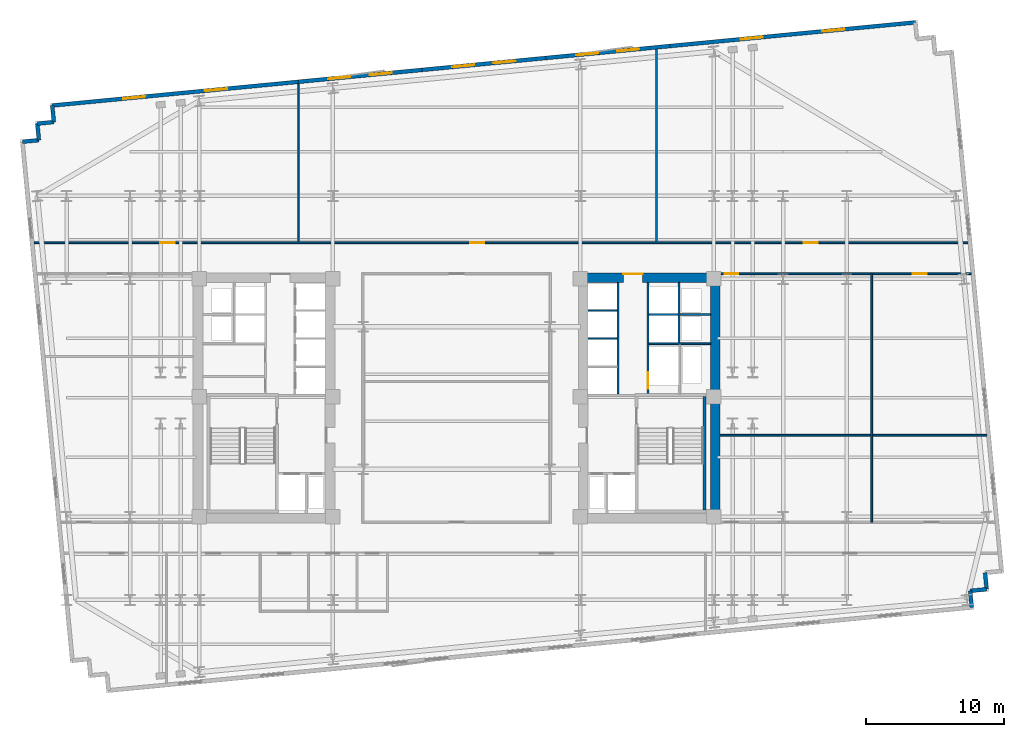
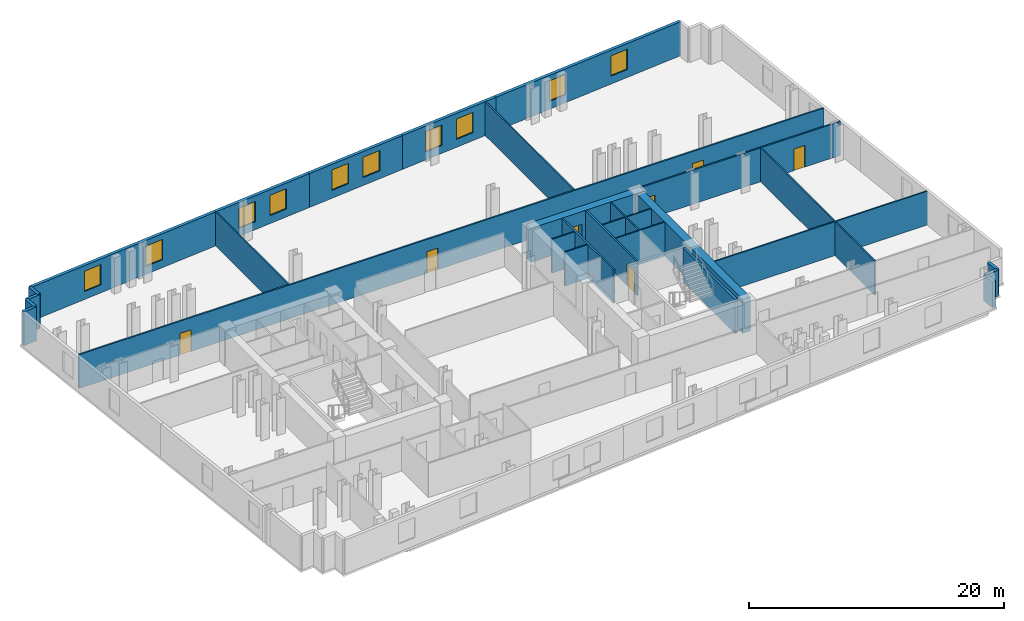
# One storey, part 7 of 10: 29 walls, 10 windows, 7 doors, 17 openings.
"""IFC4 building model written with IfcOpenShell, lengths in metres."""

import ifcopenshell
import ifcopenshell.guid

model = None  # the IFC model being written
_history = None  # IfcOwnerHistory: only IFC2X3 demands one
_inside = {}  # id of a spatial element -> (the spatial element, [elements in it])
_under = {}  # id of a project, library or spatial element -> (it, [spatial elements below it])
_declared = {}  # id of a project -> (the project, [libraries it declares])
_typed = {}  # id of a type object -> (the type object, [elements of that type])
_made_of = {}  # id of a material, layer set ... -> (it, [elements and type objects made of it])


def new_model(schema):
    """Start an empty IFC model of exactly this schema.

    Asked for "IFC4X3", IfcOpenShell would pick the latest addendum, in which some entities
    have other attributes; the version numbers below select the first issue.
    IFC2X3 requires an IfcOwnerHistory on every rooted entity: one is made here for all.
    """
    global model, _history
    if schema == "IFC4X3":
        model = ifcopenshell.file(schema_version=(4, 3, 0, 0))
    else:
        model = ifcopenshell.file(schema=schema)
    _inside.clear()
    _under.clear()
    _declared.clear()
    _typed.clear()
    _made_of.clear()
    _history = None
    if model.schema == "IFC2X3":
        org = make("IfcOrganization", Name="unknown")
        user = make(
            "IfcPersonAndOrganization",
            ThePerson=make("IfcPerson", FamilyName="unknown"),
            TheOrganization=org,
        )
        app = make(
            "IfcApplication",
            ApplicationDeveloper=org,
            Version="unknown",
            ApplicationFullName="unknown",
            ApplicationIdentifier="unknown",
        )
        _history = make(
            "IfcOwnerHistory",
            OwningUser=user,
            OwningApplication=app,
            ChangeAction="ADDED",
            CreationDate=0,
        )
    return model


def make(cls, **values):
    """One entity of the class cls with the attributes given. An attribute that is None is left unset."""
    return model.create_entity(
        cls, **{name: value for name, value in values.items() if value is not None}
    )


def rooted(cls, **values):
    """An entity with a GlobalId (a new one), such as an element, a storey or a relation."""
    return make(cls, GlobalId=ifcopenshell.guid.new(), OwnerHistory=_history, **values)


def si_unit(unit_type, name, prefix=None):
    """IfcSIUnit, for example si_unit("LENGTHUNIT", "METRE", prefix="MILLI")."""
    return make("IfcSIUnit", UnitType=unit_type, Prefix=prefix, Name=name)


def assignment(units):
    """IfcUnitAssignment: the units of a project."""
    return None if units is None else make("IfcUnitAssignment", Units=units)


def point(xyz):
    """IfcCartesianPoint."""
    return None if xyz is None else make("IfcCartesianPoint", Coordinates=xyz)


def direction(xyz):
    """IfcDirection."""
    return None if xyz is None else make("IfcDirection", DirectionRatios=xyz)


def frame(location, z_axis=None, x_axis=None):
    """IfcAxis2Placement3D, a coordinate frame: its origin and axes. An axis left out is left unset."""
    return make(
        "IfcAxis2Placement3D",
        Location=point(location),
        Axis=direction(z_axis),
        RefDirection=direction(x_axis),
    )


def frame_2d(location, x_axis=None):
    """IfcAxis2Placement2D, a coordinate frame in the plane: its origin and x axis."""
    return make(
        "IfcAxis2Placement2D", Location=point(location), RefDirection=direction(x_axis)
    )


def origin():
    """The frame at (0, 0, 0) with its axes left unset."""
    return frame((0.0, 0.0, 0.0))


def place(relative_to, where):
    """IfcLocalPlacement: puts the frame where relative to a parent placement (None: the world)."""
    return make(
        "IfcLocalPlacement", PlacementRelTo=relative_to, RelativePlacement=where
    )


def context(
    kind, dimensions, precision=None, world=None, true_north=None, identifier=None
):
    """IfcGeometricRepresentationContext, for example the 3D "Model" context."""
    return make(
        "IfcGeometricRepresentationContext",
        ContextIdentifier=identifier,
        ContextType=kind,
        CoordinateSpaceDimension=dimensions,
        Precision=precision,
        WorldCoordinateSystem=world,
        TrueNorth=true_north,
    )


def subcontext(parent, identifier, kind, view, scale=None):
    """IfcGeometricRepresentationSubContext, for example "Body" below "Model"."""
    return make(
        "IfcGeometricRepresentationSubContext",
        ContextIdentifier=identifier,
        ContextType=kind,
        ParentContext=parent,
        TargetScale=scale,
        TargetView=view,
    )


def project(units=None, contexts=None):
    """IfcProject with its units and contexts."""
    return rooted(
        "IfcProject",
        Name="project",
        RepresentationContexts=contexts,
        UnitsInContext=assignment(units),
    )


def spatial(cls, under=None, at=None, **own):
    """A site, building, storey or space (cls), placed at a placement, below another one or the project."""
    s = rooted(cls, ObjectPlacement=at, **own)
    if under is not None:
        _under.setdefault(under.id(), (under, []))[1].append(s)
    return s


def profile(cls, at=None, kind="AREA", **sizes):
    """A parametric profile (cls). Its sizes go by their IFC names, for example OverallWidth=200.0."""
    return make(cls, ProfileType=kind, Position=at, **sizes)


def rectangle(**sizes):
    """IfcRectangleProfileDef."""
    return profile("IfcRectangleProfileDef", **sizes)


def extrude(swept, where, along, depth):
    """IfcExtrudedAreaSolid: the profile swept, set in the frame where, extruded along a direction by depth."""
    return make(
        "IfcExtrudedAreaSolid",
        SweptArea=swept,
        Position=where,
        ExtrudedDirection=direction(along),
        Depth=depth,
    )


def shape(context_of_items, identifier, shape_type, items):
    """IfcShapeRepresentation: the items that make up one representation, for example the "Body"."""
    return make(
        "IfcShapeRepresentation",
        ContextOfItems=context_of_items,
        RepresentationIdentifier=identifier,
        RepresentationType=shape_type,
        Items=items,
    )


def material(Name=None, Category=None):
    """IfcMaterial."""
    return make("IfcMaterial", Name=Name, Category=Category)


def layer(
    of_material, thickness, ventilated=None, Name=None, Category=None, Priority=None
):
    """IfcMaterialLayer: one layer of a wall or slab, of a material (None: an air gap)."""
    return make(
        "IfcMaterialLayer",
        Material=of_material,
        LayerThickness=thickness,
        IsVentilated=ventilated,
        Name=Name,
        Category=Category,
        Priority=Priority,
    )


def layer_set(layers, Name=None):
    """IfcMaterialLayerSet."""
    return make("IfcMaterialLayerSet", MaterialLayers=layers, LayerSetName=Name)


def made_of(thing, what):
    """Note that an element or type object is made of a material, layer set ...; save() writes the relation."""
    if what is not None:
        _made_of.setdefault(what.id(), (what, []))[1].append(thing)
    return thing


def type_object(cls, material=None, **own):
    """A type object (cls), such as IfcWallType, which elements share."""
    return made_of(rooted(cls, **own), material)


def element(
    cls,
    number,
    at=None,
    inside=None,
    cuts=None,
    type_object=None,
    material=None,
    context=None,
    identifier="Body",
    shape_type=None,
    held_by="IfcProductDefinitionShape",
    body=None,
    shapes=None,
    **own,
):
    """One element of the class cls, such as IfcWall. Its Tag is "e" and its number.

    at: its placement. inside: the storey or other place that contains it. cuts: it is an
    opening in that element (IfcRelVoidsElement). A single representation is given by context,
    identifier, shape_type and body (its items); several are given by shapes. held_by: the class
    of the entity that holds the representations. save() writes the other relations.
    """
    e = rooted(cls, Tag="e%d" % number, ObjectPlacement=at, **own)
    if body is not None:
        shapes = [shape(context, identifier, shape_type, body)]
    if shapes is not None:
        e.Representation = make(held_by, Representations=shapes)
    if inside is not None:
        _inside.setdefault(inside.id(), (inside, []))[1].append(e)
    if cuts is not None:
        rooted(
            "IfcRelVoidsElement", RelatingBuildingElement=cuts, RelatedOpeningElement=e
        )
    if type_object is not None:
        _typed.setdefault(type_object.id(), (type_object, []))[1].append(e)
    return made_of(e, material)


def fill(opening, filler):
    """IfcRelFillsElement: the door or window that sits in an opening."""
    return rooted(
        "IfcRelFillsElement",
        RelatingOpeningElement=opening,
        RelatedBuildingElement=filler,
    )


def aggregate(whole, parts):
    """IfcRelAggregates: a whole, such as a stair, and the parts it consists of."""
    return rooted("IfcRelAggregates", RelatingObject=whole, RelatedObjects=parts)


def save(model, path):
    """Write the relations noted so far, then the file.

    IfcRelAggregates (storeys below a building ...), IfcRelContainedInSpatialStructure (elements
    in a storey), IfcRelDefinesByType, IfcRelAssociatesMaterial and IfcRelDeclares: one each for
    every whole, place, type object, material and project.
    """
    for whole, parts in _under.values():
        aggregate(whole, parts)
    for where, things in _inside.values():
        rooted(
            "IfcRelContainedInSpatialStructure",
            RelatedElements=things,
            RelatingStructure=where,
        )
    for kind, things in _typed.values():
        rooted("IfcRelDefinesByType", RelatedObjects=things, RelatingType=kind)
    for what, things in _made_of.values():
        rooted("IfcRelAssociatesMaterial", RelatedObjects=things, RelatingMaterial=what)
    for by, libraries in _declared.values():
        rooted("IfcRelDeclares", RelatingContext=by, RelatedDefinitions=libraries)
    model.write(path)


model = new_model("IFC4")

# Units and contexts
model_context = context("Model", 3, precision=1e-05, world=origin(), true_north=direction((0.0, 1.0)))
body_context = subcontext(model_context, "Body", "Model", "MODEL_VIEW")
ifc_project = project(units=[si_unit("LENGTHUNIT", "METRE"), si_unit("AREAUNIT", "SQUARE_METRE"), si_unit("VOLUMEUNIT", "CUBIC_METRE"), si_unit("PLANEANGLEUNIT", "RADIAN"), si_unit("MASSUNIT", "GRAM", prefix="KILO")], contexts=[model_context])

# Site, building, storey
site_placement = place(None, origin())
site = spatial("IfcSite", under=ifc_project, at=site_placement, CompositionType="ELEMENT")
building_placement = place(site_placement, origin())
building = spatial("IfcBuilding", under=site, at=building_placement, Name="Velakula Bourse", CompositionType="ELEMENT")
storey_placement = place(building_placement, frame((0.0, 0.0, 77.64990234375)))
storey = spatial("IfcBuildingStorey", under=building, at=storey_placement, Name="L20", CompositionType="ELEMENT", Elevation=77.64990234375)

# Wall
ifc_material_1 = material(Name="Concrete M50 (fck 50 MPa)", Category="concrete")
ifc_layer_1 = layer(ifc_material_1, 0.2099609375, Name="Concrete M50 (fck 50 MPa)", Category="concrete")
ifc_layer_set_1 = layer_set([ifc_layer_1], Name="Concrete M50 (fck 50 MPa)")
wall_type_1 = type_object("IfcWallType", Name="WL-CORE-210", PredefinedType="SHEAR", material=ifc_layer_set_1)
wall_1_placement = place(storey_placement, frame((17.925048828125, -8.10009765625, 0.0), z_axis=(0.0, 0.0, 1.0), x_axis=(0.0, 1.0, 0.0)))
element("IfcWall", 1, at=wall_1_placement, inside=storey, type_object=wall_type_1, Name="L20 Core E Stairwell Shear Wall OUT", PredefinedType="SHEAR", context=body_context, shape_type="SweptSolid", body=[
    extrude(rectangle(XDim=8.2001953125, YDim=0.2099609375, at=frame_2d((4.10009765625, 0.0))), origin(), (0.0, 0.0, 1.0), 3.27001953125),
])

# Wall, opening, door
ifc_material_2 = material(Name="Concrete M70 (fck 70 MPa)", Category="concrete")
ifc_layer_2 = layer(ifc_material_2, 0.699951171875, Name="Concrete M70 (fck 70 MPa)", Category="concrete")
ifc_layer_set_2 = layer_set([ifc_layer_2], Name="Concrete M70 (fck 70 MPa)")
wall_type_2 = type_object("IfcWallType", Name="WL-CORE-700", PredefinedType="SHEAR", material=ifc_layer_set_2)
wall_2_placement = place(storey_placement, frame((8.800048828125, 8.699951171875, 0.0), z_axis=(0.0, 0.0, 1.0), x_axis=(1.0, 0.0, 0.0)))
wall_2 = element("IfcWall", 2, at=wall_2_placement, inside=storey, type_object=wall_type_2, Name="L20 Core E Shear Wall N", PredefinedType="SHEAR", context=body_context, shape_type="SweptSolid", body=[
    extrude(rectangle(XDim=10.25, YDim=0.699951171875, at=frame_2d((5.125, 0.0))), origin(), (0.0, 0.0, 1.0), 3.27001953125),
])
opening_1_placement = place(wall_2_placement, frame((3.25, 0.0, 0.0)))
opening_1 = element("IfcOpeningElement", 3, at=opening_1_placement, cuts=wall_2, Name="Opening D-LLE", PredefinedType="OPENING", context=body_context, shape_type="SweptSolid", body=[
    extrude(rectangle(XDim=1.39990234375, YDim=2.050048828125, at=frame_2d((0.699951171875, 1.02490234375))), frame((0.0, 0.35986328125, 0.0), z_axis=(0.0, -1.0, 0.0), x_axis=(1.0, 0.0, 0.0)), (0.0, 0.0, 1.0), 0.719970703125),
])
ifc_material_3 = material(Name="Fire-rated hardwood flush architectural door", Category="wood")
door_type_1 = type_object("IfcDoorType", Name="DR-DBL-FD60-1400", OperationType="DOUBLE_DOOR_SINGLE_SWING", PredefinedType="DOOR", material=ifc_material_3)
door_1_placement = place(opening_1_placement, origin())
door_1 = element("IfcDoor", 4, at=door_1_placement, inside=storey, type_object=door_type_1, Name="L20 Core E Lift Lobby Corridor Double Door", OperationType="DOUBLE_DOOR_SINGLE_SWING", OverallHeight=2.050048828125, OverallWidth=1.39990234375, PredefinedType="DOOR", context=body_context, shape_type="SweptSolid", body=[
    extrude(rectangle(XDim=1.39990234375, YDim=2.050048828125, at=frame_2d((0.699951171875, 1.02490234375))), frame((0.0, 0.294921875, 0.0), z_axis=(0.0, -1.0, 0.0), x_axis=(1.0, 0.0, 0.0)), (0.0, 0.0, 1.0), 0.050048828125),
])
fill(opening_1, door_1)

# Wall
wall_3_placement = place(storey_placement, frame((18.699951171875, -8.35009765625, 0.0), z_axis=(0.0, 0.0, 1.0), x_axis=(0.0, 1.0, 0.0)))
element("IfcWall", 5, at=wall_3_placement, inside=storey, type_object=wall_type_2, Name="L20 Core E Shear Wall E", PredefinedType="SHEAR", context=body_context, shape_type="SweptSolid", body=[
    extrude(rectangle(XDim=16.7001953125, YDim=0.699951171875, at=frame_2d((8.35009765625, 0.0))), origin(), (0.0, 0.0, 1.0), 3.27001953125),
])

# Wall, openings, windows
ifc_material_4 = material(Name="Red kilned clay facing brick masonry", Category="masonry")
ifc_layer_3 = layer(ifc_material_4, 0.280029296875, Name="Red kilned clay facing brick masonry", Category="masonry")
ifc_layer_set_3 = layer_set([ifc_layer_3], Name="Red kilned clay facing brick masonry")
wall_type_3 = type_object("IfcWallType", Name="WL-EXT-BRK-280", PredefinedType="STANDARD", material=ifc_layer_set_3)
wall_4_placement = place(storey_placement, frame((-29.2314453125, 21.138427734375, 0.0), z_axis=(0.0, 0.0, 1.0), x_axis=(0.995395780835, 0.095850088663, 0.0)))
wall_4 = element("IfcWall", 6, at=wall_4_placement, inside=storey, type_object=wall_type_3, Name="L20 N Brick Spandrel Wall B1", PredefinedType="STANDARD", context=body_context, shape_type="SweptSolid", body=[
    extrude(rectangle(XDim=17.83984375, YDim=0.280029296875, at=frame_2d((8.919921875, 0.0))), origin(), (0.0, 0.0, 1.0), 3.25),
])
opening_2_placement = place(wall_4_placement, frame((5.146728515625, 0.0, 0.760009765625)))
opening_2 = element("IfcOpeningElement", 7, at=opening_2_placement, cuts=wall_4, Name="Opening W-02", PredefinedType="OPENING", context=body_context, shape_type="SweptSolid", body=[
    extrude(rectangle(XDim=1.60009765625, YDim=1.949951171875, at=frame_2d((0.800048828125, 0.97509765625))), frame((0.0, 0.14990234375, 0.0), z_axis=(0.0, -1.0, 0.0), x_axis=(1.0, 0.0, 0.0)), (0.0, 0.0, 1.0), 0.300048828125),
])
opening_3_placement = place(wall_4_placement, frame((11.09326171875, 0.0, 0.760009765625)))
opening_3 = element("IfcOpeningElement", 8, at=opening_3_placement, cuts=wall_4, Name="Opening W-02", PredefinedType="OPENING", context=body_context, shape_type="SweptSolid", body=[
    extrude(rectangle(XDim=1.60009765625, YDim=1.949951171875, at=frame_2d((0.800048828125, 0.97509765625))), frame((0.0, 0.14990234375, 0.0), z_axis=(0.0, -1.0, 0.0), x_axis=(1.0, 0.0, 0.0)), (0.0, 0.0, 1.0), 0.300048828125),
])
ifc_material_5 = material(Name="Double-glazed solar-control Low-E glass", Category="glass")
window_type = type_object("IfcWindowType", Name="WIN-TWR-1600x2100", PartitioningType="SINGLE_PANEL", PredefinedType="WINDOW", material=ifc_material_5)
window_1_placement = place(opening_2_placement, origin())
window_1 = element("IfcWindow", 9, at=window_1_placement, inside=storey, type_object=window_type, Name="L20 Deep-Set Recessed Window 1", OverallHeight=1.949951171875, OverallWidth=1.60009765625, PartitioningType="SINGLE_PANEL", PredefinedType="WINDOW", context=body_context, shape_type="SweptSolid", body=[
    extrude(rectangle(XDim=1.60009765625, YDim=1.949951171875, at=frame_2d((0.800048828125, 0.97509765625))), frame((0.0, 0.030029296875, 0.0), z_axis=(0.0, -1.0, 0.0), x_axis=(1.0, 0.0, 0.0)), (0.0, 0.0, 1.0), 0.06005859375),
])
fill(opening_2, window_1)
window_2_placement = place(opening_3_placement, origin())
window_2 = element("IfcWindow", 10, at=window_2_placement, inside=storey, type_object=window_type, Name="L20 Deep-Set Recessed Window 2", OverallHeight=1.949951171875, OverallWidth=1.60009765625, PartitioningType="SINGLE_PANEL", PredefinedType="WINDOW", context=body_context, shape_type="SweptSolid", body=[
    extrude(rectangle(XDim=1.60009765625, YDim=1.949951171875, at=frame_2d((0.800048828125, 0.97509765625))), frame((0.0, 0.030029296875, 0.0), z_axis=(0.0, -1.0, 0.0), x_axis=(1.0, 0.0, 0.0)), (0.0, 0.0, 1.0), 0.06005859375),
])
fill(opening_3, window_2)

wall_5_placement = place(storey_placement, frame((-11.4736328125, 22.848388671875, 0.0), z_axis=(0.0, 0.0, 1.0), x_axis=(0.995396794462, 0.09583956164, 0.0)))
wall_5 = element("IfcWall", 11, at=wall_5_placement, inside=storey, type_object=wall_type_3, Name="L20 N Brick Spandrel Wall B2", PredefinedType="STANDARD", context=body_context, shape_type="SweptSolid", body=[
    extrude(rectangle(XDim=9.0, YDim=0.280029296875, at=frame_2d((4.5, 0.0))), origin(), (0.0, 0.0, 1.0), 3.25),
])
opening_4_placement = place(wall_5_placement, frame((2.199951171875, 0.0, 0.760009765625)))
opening_4 = element("IfcOpeningElement", 12, at=opening_4_placement, cuts=wall_5, Name="Opening W-02", PredefinedType="OPENING", context=body_context, shape_type="SweptSolid", body=[
    extrude(rectangle(XDim=1.60009765625, YDim=1.949951171875, at=frame_2d((0.800048828125, 0.97509765625))), frame((0.0, 0.14990234375, 0.0), z_axis=(0.0, -1.0, 0.0), x_axis=(1.0, 0.0, 0.0)), (0.0, 0.0, 1.0), 0.300048828125),
])
opening_5_placement = place(wall_5_placement, frame((5.199951171875, 0.0, 0.760009765625)))
opening_5 = element("IfcOpeningElement", 13, at=opening_5_placement, cuts=wall_5, Name="Opening W-02", PredefinedType="OPENING", context=body_context, shape_type="SweptSolid", body=[
    extrude(rectangle(XDim=1.60009765625, YDim=1.949951171875, at=frame_2d((0.800048828125, 0.97509765625))), frame((0.0, 0.14990234375, 0.0), z_axis=(0.0, -1.0, 0.0), x_axis=(1.0, 0.0, 0.0)), (0.0, 0.0, 1.0), 0.300048828125),
])
window_3_placement = place(opening_4_placement, origin())
window_3 = element("IfcWindow", 14, at=window_3_placement, inside=storey, type_object=window_type, Name="L20 Deep-Set Recessed Window 1", OverallHeight=1.949951171875, OverallWidth=1.60009765625, PartitioningType="SINGLE_PANEL", PredefinedType="WINDOW", context=body_context, shape_type="SweptSolid", body=[
    extrude(rectangle(XDim=1.60009765625, YDim=1.949951171875, at=frame_2d((0.800048828125, 0.97509765625))), frame((0.0, 0.030029296875, 0.0), z_axis=(0.0, -1.0, 0.0), x_axis=(1.0, 0.0, 0.0)), (0.0, 0.0, 1.0), 0.06005859375),
])
fill(opening_4, window_3)
window_4_placement = place(opening_5_placement, origin())
window_4 = element("IfcWindow", 15, at=window_4_placement, inside=storey, type_object=window_type, Name="L20 Deep-Set Recessed Window 2", OverallHeight=1.949951171875, OverallWidth=1.60009765625, PartitioningType="SINGLE_PANEL", PredefinedType="WINDOW", context=body_context, shape_type="SweptSolid", body=[
    extrude(rectangle(XDim=1.60009765625, YDim=1.949951171875, at=frame_2d((0.800048828125, 0.97509765625))), frame((0.0, 0.030029296875, 0.0), z_axis=(0.0, -1.0, 0.0), x_axis=(1.0, 0.0, 0.0)), (0.0, 0.0, 1.0), 0.06005859375),
])
fill(opening_5, window_4)

wall_6_placement = place(storey_placement, frame((-2.51513671875, 23.7109375, 0.0), z_axis=(0.0, 0.0, 1.0), x_axis=(0.995397043619, 0.095836973841, 0.0)))
wall_6 = element("IfcWall", 16, at=wall_6_placement, inside=storey, type_object=wall_type_3, Name="L20 N Brick Spandrel Wall B3", PredefinedType="STANDARD", context=body_context, shape_type="SweptSolid", body=[
    extrude(rectangle(XDim=9.000244140625, YDim=0.280029296875, at=frame_2d((4.5, 0.0))), origin(), (0.0, 0.0, 1.0), 3.25),
])
opening_6_placement = place(wall_6_placement, frame((2.199951171875, 0.0, 0.760009765625)))
opening_6 = element("IfcOpeningElement", 17, at=opening_6_placement, cuts=wall_6, Name="Opening W-02", PredefinedType="OPENING", context=body_context, shape_type="SweptSolid", body=[
    extrude(rectangle(XDim=1.60009765625, YDim=1.949951171875, at=frame_2d((0.800048828125, 0.97509765625))), frame((0.0, 0.14990234375, 0.0), z_axis=(0.0, -1.0, 0.0), x_axis=(1.0, 0.0, 0.0)), (0.0, 0.0, 1.0), 0.300048828125),
])
opening_7_placement = place(wall_6_placement, frame((5.199951171875, 0.0, 0.760009765625)))
opening_7 = element("IfcOpeningElement", 18, at=opening_7_placement, cuts=wall_6, Name="Opening W-02", PredefinedType="OPENING", context=body_context, shape_type="SweptSolid", body=[
    extrude(rectangle(XDim=1.60009765625, YDim=1.949951171875, at=frame_2d((0.800048828125, 0.97509765625))), frame((0.0, 0.14990234375, 0.0), z_axis=(0.0, -1.0, 0.0), x_axis=(1.0, 0.0, 0.0)), (0.0, 0.0, 1.0), 0.300048828125),
])
window_5_placement = place(opening_6_placement, origin())
window_5 = element("IfcWindow", 19, at=window_5_placement, inside=storey, type_object=window_type, Name="L20 Deep-Set Recessed Window 1", OverallHeight=1.949951171875, OverallWidth=1.60009765625, PartitioningType="SINGLE_PANEL", PredefinedType="WINDOW", context=body_context, shape_type="SweptSolid", body=[
    extrude(rectangle(XDim=1.60009765625, YDim=1.949951171875, at=frame_2d((0.800048828125, 0.97509765625))), frame((0.0, 0.030029296875, 0.0), z_axis=(0.0, -1.0, 0.0), x_axis=(1.0, 0.0, 0.0)), (0.0, 0.0, 1.0), 0.06005859375),
])
fill(opening_6, window_5)
window_6_placement = place(opening_7_placement, origin())
window_6 = element("IfcWindow", 20, at=window_6_placement, inside=storey, type_object=window_type, Name="L20 Deep-Set Recessed Window 2", OverallHeight=1.949951171875, OverallWidth=1.60009765625, PartitioningType="SINGLE_PANEL", PredefinedType="WINDOW", context=body_context, shape_type="SweptSolid", body=[
    extrude(rectangle(XDim=1.60009765625, YDim=1.949951171875, at=frame_2d((0.800048828125, 0.97509765625))), frame((0.0, 0.030029296875, 0.0), z_axis=(0.0, -1.0, 0.0), x_axis=(1.0, 0.0, 0.0)), (0.0, 0.0, 1.0), 0.06005859375),
])
fill(opening_7, window_6)

wall_7_placement = place(storey_placement, frame((6.443603515625, 24.573486328125, 0.0), z_axis=(0.0, 0.0, 1.0), x_axis=(0.995396794462, 0.09583956164, 0.0)))
wall_7 = element("IfcWall", 21, at=wall_7_placement, inside=storey, type_object=wall_type_3, Name="L20 N Brick Spandrel Wall B4", PredefinedType="STANDARD", context=body_context, shape_type="SweptSolid", body=[
    extrude(rectangle(XDim=9.0, YDim=0.280029296875, at=frame_2d((4.5, 0.0))), origin(), (0.0, 0.0, 1.0), 3.25),
])
opening_8_placement = place(wall_7_placement, frame((2.199951171875, 0.0, 0.760009765625)))
opening_8 = element("IfcOpeningElement", 22, at=opening_8_placement, cuts=wall_7, Name="Opening W-02", PredefinedType="OPENING", context=body_context, shape_type="SweptSolid", body=[
    extrude(rectangle(XDim=1.60009765625, YDim=1.949951171875, at=frame_2d((0.800048828125, 0.97509765625))), frame((0.0, 0.14990234375, 0.0), z_axis=(0.0, -1.0, 0.0), x_axis=(1.0, 0.0, 0.0)), (0.0, 0.0, 1.0), 0.300048828125),
])
opening_9_placement = place(wall_7_placement, frame((5.199951171875, 0.0, 0.760009765625)))
opening_9 = element("IfcOpeningElement", 23, at=opening_9_placement, cuts=wall_7, Name="Opening W-02", PredefinedType="OPENING", context=body_context, shape_type="SweptSolid", body=[
    extrude(rectangle(XDim=1.60009765625, YDim=1.949951171875, at=frame_2d((0.800048828125, 0.97509765625))), frame((0.0, 0.14990234375, 0.0), z_axis=(0.0, -1.0, 0.0), x_axis=(1.0, 0.0, 0.0)), (0.0, 0.0, 1.0), 0.300048828125),
])
window_7_placement = place(opening_8_placement, origin())
window_7 = element("IfcWindow", 24, at=window_7_placement, inside=storey, type_object=window_type, Name="L20 Deep-Set Recessed Window 1", OverallHeight=1.949951171875, OverallWidth=1.60009765625, PartitioningType="SINGLE_PANEL", PredefinedType="WINDOW", context=body_context, shape_type="SweptSolid", body=[
    extrude(rectangle(XDim=1.60009765625, YDim=1.949951171875, at=frame_2d((0.800048828125, 0.97509765625))), frame((0.0, 0.030029296875, 0.0), z_axis=(0.0, -1.0, 0.0), x_axis=(1.0, 0.0, 0.0)), (0.0, 0.0, 1.0), 0.06005859375),
])
fill(opening_8, window_7)
window_8_placement = place(opening_9_placement, origin())
window_8 = element("IfcWindow", 25, at=window_8_placement, inside=storey, type_object=window_type, Name="L20 Deep-Set Recessed Window 2", OverallHeight=1.949951171875, OverallWidth=1.60009765625, PartitioningType="SINGLE_PANEL", PredefinedType="WINDOW", context=body_context, shape_type="SweptSolid", body=[
    extrude(rectangle(XDim=1.60009765625, YDim=1.949951171875, at=frame_2d((0.800048828125, 0.97509765625))), frame((0.0, 0.030029296875, 0.0), z_axis=(0.0, -1.0, 0.0), x_axis=(1.0, 0.0, 0.0)), (0.0, 0.0, 1.0), 0.06005859375),
])
fill(opening_9, window_8)

wall_8_placement = place(storey_placement, frame((15.402099609375, 25.43603515625, 0.0), z_axis=(0.0, 0.0, 1.0), x_axis=(0.995395780835, 0.095850088663, 0.0)))
wall_8 = element("IfcWall", 26, at=wall_8_placement, inside=storey, type_object=wall_type_3, Name="L20 N Brick Spandrel Wall B5", PredefinedType="STANDARD", context=body_context, shape_type="SweptSolid", body=[
    extrude(rectangle(XDim=17.83984375, YDim=0.280029296875, at=frame_2d((8.919921875, 0.0))), origin(), (0.0, 0.0, 1.0), 3.25),
])
opening_10_placement = place(wall_8_placement, frame((5.146728515625, 0.0, 0.760009765625)))
opening_10 = element("IfcOpeningElement", 27, at=opening_10_placement, cuts=wall_8, Name="Opening W-02", PredefinedType="OPENING", context=body_context, shape_type="SweptSolid", body=[
    extrude(rectangle(XDim=1.60009765625, YDim=1.949951171875, at=frame_2d((0.800048828125, 0.97509765625))), frame((0.0, 0.14990234375, 0.0), z_axis=(0.0, -1.0, 0.0), x_axis=(1.0, 0.0, 0.0)), (0.0, 0.0, 1.0), 0.300048828125),
])
opening_11_placement = place(wall_8_placement, frame((11.09326171875, 0.0, 0.760009765625)))
opening_11 = element("IfcOpeningElement", 28, at=opening_11_placement, cuts=wall_8, Name="Opening W-02", PredefinedType="OPENING", context=body_context, shape_type="SweptSolid", body=[
    extrude(rectangle(XDim=1.60009765625, YDim=1.949951171875, at=frame_2d((0.800048828125, 0.97509765625))), frame((0.0, 0.14990234375, 0.0), z_axis=(0.0, -1.0, 0.0), x_axis=(1.0, 0.0, 0.0)), (0.0, 0.0, 1.0), 0.300048828125),
])
window_9_placement = place(opening_10_placement, origin())
window_9 = element("IfcWindow", 29, at=window_9_placement, inside=storey, type_object=window_type, Name="L20 Deep-Set Recessed Window 1", OverallHeight=1.949951171875, OverallWidth=1.60009765625, PartitioningType="SINGLE_PANEL", PredefinedType="WINDOW", context=body_context, shape_type="SweptSolid", body=[
    extrude(rectangle(XDim=1.60009765625, YDim=1.949951171875, at=frame_2d((0.800048828125, 0.97509765625))), frame((0.0, 0.030029296875, 0.0), z_axis=(0.0, -1.0, 0.0), x_axis=(1.0, 0.0, 0.0)), (0.0, 0.0, 1.0), 0.06005859375),
])
fill(opening_10, window_9)
window_10_placement = place(opening_11_placement, origin())
window_10 = element("IfcWindow", 30, at=window_10_placement, inside=storey, type_object=window_type, Name="L20 Deep-Set Recessed Window 2", OverallHeight=1.949951171875, OverallWidth=1.60009765625, PartitioningType="SINGLE_PANEL", PredefinedType="WINDOW", context=body_context, shape_type="SweptSolid", body=[
    extrude(rectangle(XDim=1.60009765625, YDim=1.949951171875, at=frame_2d((0.800048828125, 0.97509765625))), frame((0.0, 0.030029296875, 0.0), z_axis=(0.0, -1.0, 0.0), x_axis=(1.0, 0.0, 0.0)), (0.0, 0.0, 1.0), 0.06005859375),
])
fill(opening_11, window_10)

# Walls
for number, where, z_axis, x_axis, name in (
    (31, (37.2314453125, -15.138427734375, 0.0), (0.0, 0.0, 1.0), (-0.095817067274, 0.995398960025, 0.0), "L20 Serrated Corner Brick Wall SE-1"),
    (32, (37.116455078125, -13.94384765625, 0.0), (0.0, 0.0, 1.0), (0.995398960025, 0.095817067274, 0.0), "L20 Serrated Corner Brick Wall SE-2"),
):
    element("IfcWall", number, at=place(storey_placement, frame(where, z_axis=z_axis, x_axis=x_axis)), inside=storey, type_object=wall_type_3, Name=name, PredefinedType="STANDARD", context=body_context, shape_type="SweptSolid", body=[
        extrude(rectangle(XDim=1.2001953125, YDim=0.280029296875, at=frame_2d((0.60009765625, 0.0))), origin(), (0.0, 0.0, 1.0), 2.4951171875),
    ])
wall_9_placement = place(storey_placement, frame((38.31103515625, -13.828857421875, 0.0), z_axis=(0.0, 0.0, 1.0), x_axis=(-0.095836473879, 0.995397091755, 0.0)))
element("IfcWall", 33, at=wall_9_placement, inside=storey, type_object=wall_type_3, Name="L20 Serrated Corner Brick Wall SE-3", PredefinedType="STANDARD", context=body_context, shape_type="SweptSolid", body=[
    extrude(rectangle(XDim=1.199951171875, YDim=0.280029296875, at=frame_2d((0.60009765625, 0.0))), origin(), (0.0, 0.0, 1.0), 2.4951171875),
])
for number, where, z_axis, x_axis, name in (
    (34, (-29.2314453125, 21.138427734375, 0.0), (0.0, 0.0, 1.0), (0.095817067274, -0.995398960025, 0.0), "L20 Serrated Corner Brick Wall NW-1"),
    (35, (-29.116455078125, 19.94384765625, 0.0), (0.0, 0.0, 1.0), (-0.995398960025, -0.095817067274, 0.0), "L20 Serrated Corner Brick Wall NW-2"),
):
    element("IfcWall", number, at=place(storey_placement, frame(where, z_axis=z_axis, x_axis=x_axis)), inside=storey, type_object=wall_type_3, Name=name, PredefinedType="STANDARD", context=body_context, shape_type="SweptSolid", body=[
        extrude(rectangle(XDim=1.2001953125, YDim=0.280029296875, at=frame_2d((0.60009765625, 0.0))), origin(), (0.0, 0.0, 1.0), 3.25),
    ])
for number, where, z_axis, x_axis, name in (
    (36, (-30.31103515625, 19.828857421875, 0.0), (0.0, 0.0, 1.0), (0.095836473879, -0.995397091755, 0.0), "L20 Serrated Corner Brick Wall NW-3"),
    (37, (-30.196044921875, 18.634521484375, 0.0), (0.0, 0.0, 1.0), (-0.995397091755, -0.095836473879, 0.0), "L20 Serrated Corner Brick Wall NW-4"),
):
    element("IfcWall", number, at=place(storey_placement, frame(where, z_axis=z_axis, x_axis=x_axis)), inside=storey, type_object=wall_type_3, Name=name, PredefinedType="STANDARD", context=body_context, shape_type="SweptSolid", body=[
        extrude(rectangle(XDim=1.199951171875, YDim=0.280029296875, at=frame_2d((0.60009765625, 0.0))), origin(), (0.0, 0.0, 1.0), 3.25),
    ])
ifc_material_6 = material(Name="Fire-rated double-layer gypsum drywall partition", Category="gypsum")
ifc_layer_4 = layer(ifc_material_6, 0.1201171875, Name="Fire-rated double-layer gypsum drywall partition", Category="gypsum")
ifc_layer_set_4 = layer_set([ifc_layer_4], Name="Fire-rated double-layer gypsum drywall partition")
wall_type_4 = type_object("IfcWallType", Name="WL-PART-120", PredefinedType="STANDARD", material=ifc_layer_set_4)
for number, where, z_axis, x_axis, name in (
    (38, (9.5, 4.284912109375, 0.0), (0.0, 0.0, 1.0), (1.0, 0.0, 0.0), "L20 Interior Partition WL-CRE-L20-BDIV-1"),
    (39, (9.5, 6.31494140625, 0.0), (0.0, 0.0, 1.0), (1.0, 0.0, 0.0), "L20 Interior Partition WL-CRE-L20-BDIV-2"),
):
    element("IfcWall", number, at=place(storey_placement, frame(where, z_axis=z_axis, x_axis=x_axis)), inside=storey, type_object=wall_type_4, Name=name, PredefinedType="STANDARD", context=body_context, shape_type="SweptSolid", body=[
        extrude(rectangle(XDim=2.10009765625, YDim=0.110107421875, at=frame_2d((1.050048828125, 0.0))), origin(), (0.0, 0.0, 1.0), 3.25),
    ])
wall_10_placement = place(storey_placement, frame((13.89990234375, 3.919921875, 0.0), z_axis=(0.0, 0.0, 1.0), x_axis=(1.0, 0.0, 0.0)))
element("IfcWall", 40, at=wall_10_placement, inside=storey, type_object=wall_type_4, Name="L20 Interior Partition WL-CRE-L20-HI-S", PredefinedType="STANDARD", context=body_context, shape_type="SweptSolid", body=[
    extrude(rectangle(XDim=4.4501953125, YDim=0.1201171875, at=frame_2d((2.22509765625, 0.0))), origin(), (0.0, 0.0, 1.0), 3.25),
])
wall_11_placement = place(storey_placement, frame((16.14990234375, 6.030029296875, 0.0), z_axis=(0.0, 0.0, 1.0), x_axis=(1.0, 0.0, 0.0)))
element("IfcWall", 41, at=wall_11_placement, inside=storey, type_object=wall_type_4, Name="L20 Interior Partition WL-CRE-L20-RIS-MID", PredefinedType="STANDARD", context=body_context, shape_type="SweptSolid", body=[
    extrude(rectangle(XDim=2.2001953125, YDim=0.1201171875, at=frame_2d((1.10009765625, 0.0))), origin(), (0.0, 0.0, 1.0), 3.25),
])
wall_12_placement = place(storey_placement, frame((16.074951171875, 3.97998046875, 0.0), z_axis=(0.0, 0.0, 1.0), x_axis=(0.0, 1.0, 0.0)))
element("IfcWall", 42, at=wall_12_placement, inside=storey, type_object=wall_type_4, Name="L20 Interior Partition WL-CRE-L20-RIS-F", PredefinedType="STANDARD", context=body_context, shape_type="SweptSolid", body=[
    extrude(rectangle(XDim=4.3701171875, YDim=0.1201171875, at=frame_2d((2.18505859375, 0.0))), origin(), (0.0, 0.0, 1.0), 3.25),
])
wall_13_placement = place(storey_placement, frame((13.89990234375, 6.030029296875, 0.0), z_axis=(0.0, 0.0, 1.0), x_axis=(1.0, 0.0, 0.0)))
element("IfcWall", 43, at=wall_13_placement, inside=storey, type_object=wall_type_4, Name="L20 Interior Partition WL-CRE-L20-HI-DIV", PredefinedType="STANDARD", context=body_context, shape_type="SweptSolid", body=[
    extrude(rectangle(XDim=2.10009765625, YDim=0.1201171875, at=frame_2d((1.050048828125, 0.0))), origin(), (0.0, 0.0, 1.0), 3.25),
])
wall_14_placement = place(storey_placement, frame((-11.44189453125, 11.2900390625, 0.0), z_axis=(0.0, 0.0, 1.0), x_axis=(0.0, 1.0, 0.0)))
element("IfcWall", 44, at=wall_14_placement, inside=storey, type_object=wall_type_4, Name="L20 Interior Partition WL-INT-L20-N-D1", PredefinedType="STANDARD", context=body_context, shape_type="SweptSolid", body=[
    extrude(rectangle(XDim=11.440673828125, YDim=0.1201171875, at=frame_2d((5.72021484375, 0.0))), origin(), (0.0, 0.0, 1.0), 3.25),
])
wall_15_placement = place(storey_placement, frame((14.43994140625, 11.2900390625, 0.0), z_axis=(0.0, 0.0, 1.0), x_axis=(0.0, 1.0, 0.0)))
element("IfcWall", 45, at=wall_15_placement, inside=storey, type_object=wall_type_4, Name="L20 Interior Partition WL-INT-L20-N-D2", PredefinedType="STANDARD", context=body_context, shape_type="SweptSolid", body=[
    extrude(rectangle(XDim=13.932861328125, YDim=0.1201171875, at=frame_2d((6.96630859375, 0.0))), origin(), (0.0, 0.0, 1.0), 3.25),
])
wall_16_placement = place(storey_placement, frame((19.050048828125, -2.699951171875, 0.0), z_axis=(0.0, 0.0, 1.0), x_axis=(1.0, 0.0, 0.0)))
element("IfcWall", 46, at=wall_16_placement, inside=storey, type_object=wall_type_4, Name="L20 Interior Partition WL-INT-L20-E-H", PredefinedType="STANDARD", context=body_context, shape_type="SweptSolid", body=[
    extrude(rectangle(XDim=19.274169921875, YDim=0.1201171875, at=frame_2d((9.63720703125, 0.0))), origin(), (0.0, 0.0, 1.0), 3.25),
])
wall_17_placement = place(storey_placement, frame((30.009033203125, -8.97998046875, 0.0), z_axis=(0.0, 0.0, 1.0), x_axis=(0.0, 1.0, 0.0)))
element("IfcWall", 47, at=wall_17_placement, inside=storey, type_object=wall_type_4, Name="L20 Interior Partition WL-INT-L20-E-V1", PredefinedType="STANDARD", context=body_context, shape_type="SweptSolid", body=[
    extrude(rectangle(XDim=17.9599609375, YDim=0.1201171875, at=frame_2d((8.97998046875, 0.0))), origin(), (0.0, 0.0, 1.0), 3.25),
])

# Wall, openings, doors
ifc_layer_5 = layer(ifc_material_6, 0.139892578125, Name="Fire-rated double-layer gypsum drywall partition", Category="gypsum")
ifc_layer_set_5 = layer_set([ifc_layer_5], Name="Fire-rated double-layer gypsum drywall partition")
wall_type_5 = type_object("IfcWallType", Name="WL-PART-140", PredefinedType="STANDARD", material=ifc_layer_set_5)
wall_18_placement = place(storey_placement, frame((-30.56689453125, 11.219970703125, 0.0), z_axis=(0.0, 0.0, 1.0), x_axis=(1.0, 0.0, 0.0)))
wall_18 = element("IfcWall", 48, at=wall_18_placement, inside=storey, type_object=wall_type_5, Name="L20 Interior Partition WL-INT-L20-N-CORR", PredefinedType="STANDARD", context=body_context, shape_type="SweptSolid", body=[
    extrude(rectangle(XDim=67.55078125, YDim=0.139892578125, at=frame_2d((33.775390625, 0.0))), origin(), (0.0, 0.0, 1.0), 3.25),
])
opening_12_placement = place(wall_18_placement, frame((9.1884765625, 0.0, 0.0)))
opening_12 = element("IfcOpeningElement", 49, at=opening_12_placement, cuts=wall_18, Name="Opening D-OF1", PredefinedType="OPENING", context=body_context, shape_type="SweptSolid", body=[
    extrude(rectangle(XDim=1.0, YDim=2.080078125, at=frame_2d((0.5, 1.0400390625))), frame((0.0, 0.079833984375, 0.0), z_axis=(0.0, -1.0, 0.0), x_axis=(1.0, 0.0, 0.0)), (0.0, 0.0, 1.0), 0.159912109375),
])
opening_13_placement = place(wall_18_placement, frame((31.56591796875, 0.0, 0.0)))
opening_13 = element("IfcOpeningElement", 50, at=opening_13_placement, cuts=wall_18, Name="Opening D-OF1", PredefinedType="OPENING", context=body_context, shape_type="SweptSolid", body=[
    extrude(rectangle(XDim=1.0, YDim=2.080078125, at=frame_2d((0.5, 1.0400390625))), frame((0.0, 0.079833984375, 0.0), z_axis=(0.0, -1.0, 0.0), x_axis=(1.0, 0.0, 0.0)), (0.0, 0.0, 1.0), 0.159912109375),
])
opening_14_placement = place(wall_18_placement, frame((55.653076171875, 0.0, 0.0)))
opening_14 = element("IfcOpeningElement", 51, at=opening_14_placement, cuts=wall_18, Name="Opening D-OF1", PredefinedType="OPENING", context=body_context, shape_type="SweptSolid", body=[
    extrude(rectangle(XDim=1.0, YDim=2.080078125, at=frame_2d((0.5, 1.0400390625))), frame((0.0, 0.079833984375, 0.0), z_axis=(0.0, -1.0, 0.0), x_axis=(1.0, 0.0, 0.0)), (0.0, 0.0, 1.0), 0.159912109375),
])
door_type_2 = type_object("IfcDoorType", Name="DR-OFF-1000", OperationType="NOTDEFINED", PredefinedType="DOOR", material=ifc_material_3)
door_2_placement = place(opening_12_placement, origin())
door_2 = element("IfcDoor", 52, at=door_2_placement, inside=storey, type_object=door_type_2, Name="L20 Commodity Futures Workspace Door", OperationType="SINGLE_SWING_LEFT", OverallHeight=2.080078125, OverallWidth=1.0, PredefinedType="DOOR", context=body_context, shape_type="SweptSolid", body=[
    extrude(rectangle(XDim=1.0, YDim=2.080078125, at=frame_2d((0.5, 1.0400390625))), frame((0.0, 0.02490234375, 0.0), z_axis=(0.0, -1.0, 0.0), x_axis=(1.0, 0.0, 0.0)), (0.0, 0.0, 1.0), 0.050048828125),
])
fill(opening_12, door_2)
door_3_placement = place(opening_13_placement, origin())
door_3 = element("IfcDoor", 53, at=door_3_placement, inside=storey, type_object=door_type_2, Name="L20 Clearing Committee Room Door", OperationType="SINGLE_SWING_RIGHT", OverallHeight=2.080078125, OverallWidth=1.0, PredefinedType="DOOR", context=body_context, shape_type="SweptSolid", body=[
    extrude(rectangle(XDim=1.0, YDim=2.080078125, at=frame_2d((0.5, 1.0400390625))), frame((0.0, 0.02490234375, 0.0), z_axis=(0.0, -1.0, 0.0), x_axis=(1.0, 0.0, 0.0)), (0.0, 0.0, 1.0), 0.050048828125),
])
fill(opening_13, door_3)
door_4_placement = place(opening_14_placement, origin())
door_4 = element("IfcDoor", 54, at=door_4_placement, inside=storey, type_object=door_type_2, Name="L20 Tea Room Kitchenette Door", OperationType="SINGLE_SWING_LEFT", OverallHeight=2.080078125, OverallWidth=1.0, PredefinedType="DOOR", context=body_context, shape_type="SweptSolid", body=[
    extrude(rectangle(XDim=1.0, YDim=2.080078125, at=frame_2d((0.5, 1.0400390625))), frame((0.0, 0.02490234375, 0.0), z_axis=(0.0, -1.0, 0.0), x_axis=(1.0, 0.0, 0.0)), (0.0, 0.0, 1.0), 0.050048828125),
])
fill(opening_14, door_4)

wall_19_placement = place(storey_placement, frame((19.050048828125, 8.97998046875, 0.0), z_axis=(0.0, 0.0, 1.0), x_axis=(1.0, 0.0, 0.0)))
wall_19 = element("IfcWall", 55, at=wall_19_placement, inside=storey, type_object=wall_type_5, Name="L20 Interior Partition WL-INT-L20-E-NC", PredefinedType="STANDARD", context=body_context, shape_type="SweptSolid", body=[
    extrude(rectangle(XDim=18.149658203125, YDim=0.139892578125, at=frame_2d((9.07470703125, 0.0))), origin(), (0.0, 0.0, 1.0), 3.25),
])
opening_15_placement = place(wall_19_placement, frame((0.320068359375, 0.0, 0.0)))
opening_15 = element("IfcOpeningElement", 56, at=opening_15_placement, cuts=wall_19, Name="Opening D-OF1", PredefinedType="OPENING", context=body_context, shape_type="SweptSolid", body=[
    extrude(rectangle(XDim=1.0, YDim=2.080078125, at=frame_2d((0.5, 1.0400390625))), frame((0.0, 0.079833984375, 0.0), z_axis=(0.0, -1.0, 0.0), x_axis=(1.0, 0.0, 0.0)), (0.0, 0.0, 1.0), 0.159912109375),
])
opening_16_placement = place(wall_19_placement, frame((13.92431640625, 0.0, 0.0)))
opening_16 = element("IfcOpeningElement", 57, at=opening_16_placement, cuts=wall_19, Name="Opening D-OF1", PredefinedType="OPENING", context=body_context, shape_type="SweptSolid", body=[
    extrude(rectangle(XDim=1.0, YDim=2.080078125, at=frame_2d((0.5, 1.0400390625))), frame((0.0, 0.079833984375, 0.0), z_axis=(0.0, -1.0, 0.0), x_axis=(1.0, 0.0, 0.0)), (0.0, 0.0, 1.0), 0.159912109375),
])
door_5_placement = place(opening_15_placement, origin())
door_5 = element("IfcDoor", 58, at=door_5_placement, inside=storey, type_object=door_type_2, Name="L20 Broadcast Control Office Door", OperationType="SINGLE_SWING_LEFT", OverallHeight=2.080078125, OverallWidth=1.0, PredefinedType="DOOR", context=body_context, shape_type="SweptSolid", body=[
    extrude(rectangle(XDim=1.0, YDim=2.080078125, at=frame_2d((0.5, 1.0400390625))), frame((0.0, 0.02490234375, 0.0), z_axis=(0.0, -1.0, 0.0), x_axis=(1.0, 0.0, 0.0)), (0.0, 0.0, 1.0), 0.050048828125),
])
fill(opening_15, door_5)
door_6_placement = place(opening_16_placement, origin())
door_6 = element("IfcDoor", 59, at=door_6_placement, inside=storey, type_object=door_type_2, Name="L20 Yield Curve Seminar Room Door", OperationType="SINGLE_SWING_RIGHT", OverallHeight=2.080078125, OverallWidth=1.0, PredefinedType="DOOR", context=body_context, shape_type="SweptSolid", body=[
    extrude(rectangle(XDim=1.0, YDim=2.080078125, at=frame_2d((0.5, 1.0400390625))), frame((0.0, 0.02490234375, 0.0), z_axis=(0.0, -1.0, 0.0), x_axis=(1.0, 0.0, 0.0)), (0.0, 0.0, 1.0), 0.050048828125),
])
fill(opening_16, door_6)

# Wall
ifc_material_7 = material(Name="Autoclaved aerated concrete blockwork masonry", Category="masonry")
ifc_layer_6 = layer(ifc_material_7, 0.14990234375, Name="Autoclaved aerated concrete blockwork masonry", Category="masonry")
ifc_layer_set_6 = layer_set([ifc_layer_6], Name="Autoclaved aerated concrete blockwork masonry")
wall_type_6 = type_object("IfcWallType", Name="WL-SHAFT-150", PredefinedType="STANDARD", material=ifc_layer_set_6)
wall_20_placement = place(storey_placement, frame((11.675048828125, 0.27001953125, 0.0), z_axis=(0.0, 0.0, 1.0), x_axis=(0.0, 1.0, 0.0)))
element("IfcWall", 60, at=wall_20_placement, inside=storey, type_object=wall_type_6, Name="L20 Interior Partition WL-CRE-L20-BANK-F", PredefinedType="STANDARD", context=body_context, shape_type="SweptSolid", body=[
    extrude(rectangle(XDim=8.080078125, YDim=0.14990234375, at=frame_2d((4.0400390625, 0.0))), origin(), (0.0, 0.0, 1.0), 3.25),
])

# Wall, opening, door
wall_21_placement = place(storey_placement, frame((13.824951171875, 0.27001953125, 0.0), z_axis=(0.0, 0.0, 1.0), x_axis=(0.0, 1.0, 0.0)))
wall_21 = element("IfcWall", 61, at=wall_21_placement, inside=storey, type_object=wall_type_6, Name="L20 Interior Partition WL-CRE-L20-OUT-F", PredefinedType="STANDARD", context=body_context, shape_type="SweptSolid", body=[
    extrude(rectangle(XDim=8.080078125, YDim=0.14990234375, at=frame_2d((4.0400390625, 0.0))), origin(), (0.0, 0.0, 1.0), 3.25),
])
opening_17_placement = place(wall_21_placement, frame((0.3798828125, 0.0, 0.0)))
opening_17 = element("IfcOpeningElement", 62, at=opening_17_placement, cuts=wall_21, Name="Opening LD-SVL1", PredefinedType="OPENING", context=body_context, shape_type="SweptSolid", body=[
    extrude(rectangle(XDim=1.199951171875, YDim=2.10009765625, at=frame_2d((0.60009765625, 1.050048828125))), frame((0.0, 0.0849609375, 0.0), z_axis=(0.0, -1.0, 0.0), x_axis=(1.0, 0.0, 0.0)), (0.0, 0.0, 1.0), 0.169921875),
])
ifc_material_8 = material(Name="Brushed grade 316 stainless steel", Category="steel")
door_type_3 = type_object("IfcDoorType", Name="DR-SLIDE-LD-1200", OperationType="DOUBLE_DOOR_SLIDING", PredefinedType="DOOR", material=ifc_material_8)
door_7_placement = place(opening_17_placement, origin())
door_7 = element("IfcDoor", 63, at=door_7_placement, inside=storey, type_object=door_type_3, Name="L20 Service Lift SVL-1 Sliding Landing Door", OperationType="DOUBLE_DOOR_SLIDING", OverallHeight=2.10009765625, OverallWidth=1.199951171875, PredefinedType="DOOR", context=body_context, shape_type="SweptSolid", body=[
    extrude(rectangle(XDim=1.199951171875, YDim=2.10009765625, at=frame_2d((0.60009765625, 1.050048828125))), frame((0.0, 0.02490234375, 0.0), z_axis=(0.0, -1.0, 0.0), x_axis=(1.0, 0.0, 0.0)), (0.0, 0.0, 1.0), 0.050048828125),
])
fill(opening_17, door_7)

save(model, "model.ifc")
